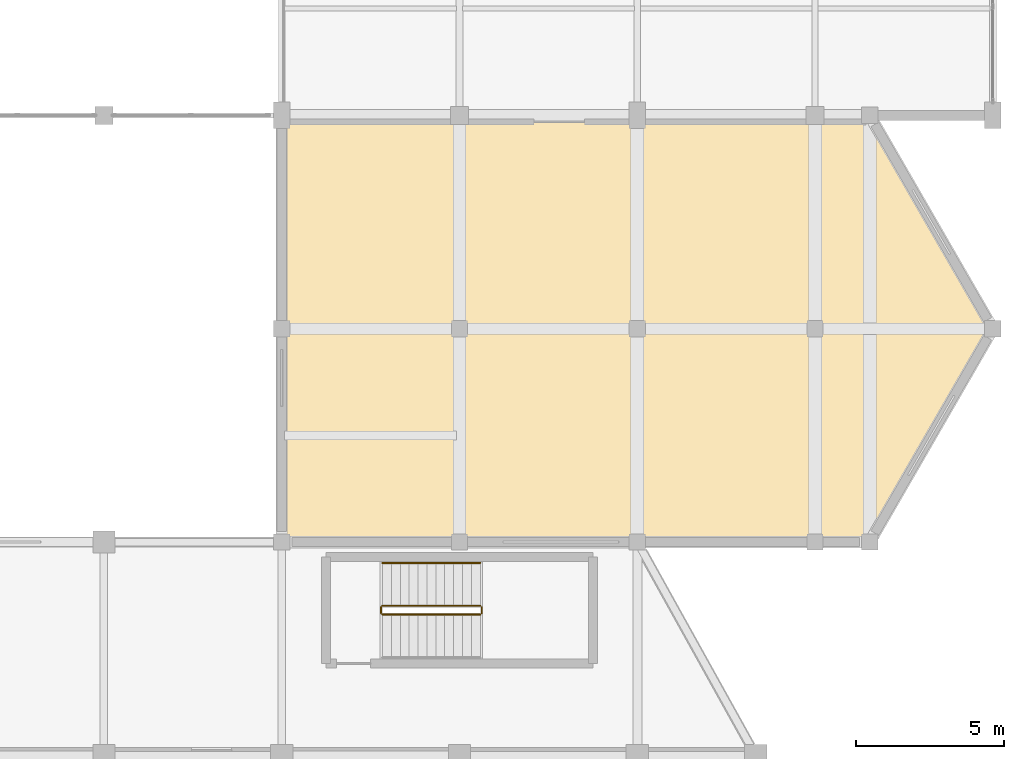
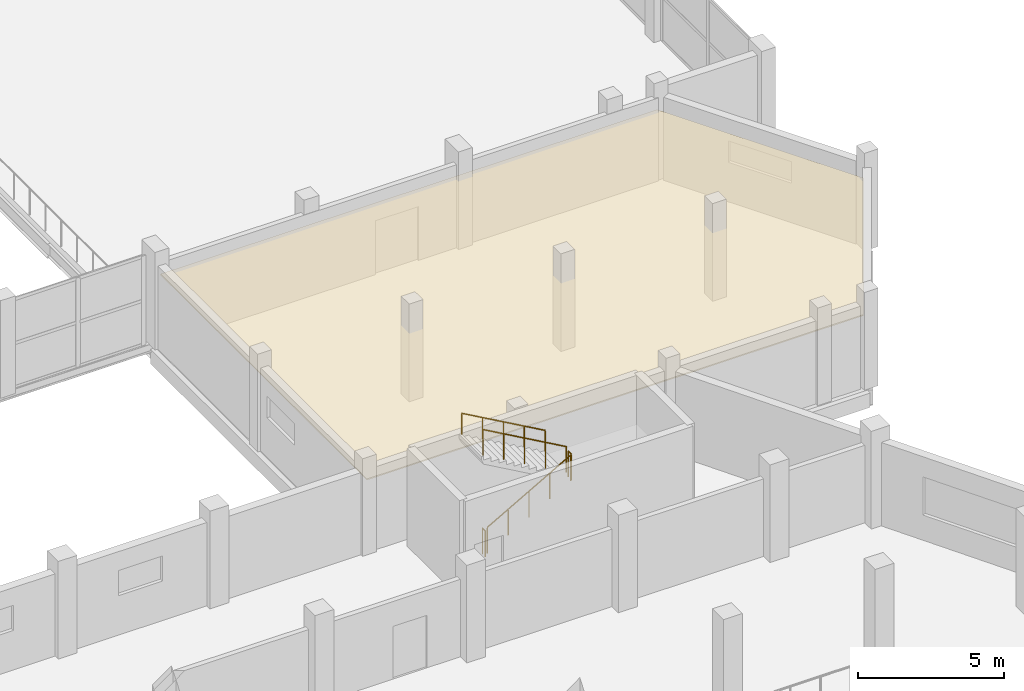
# One storey, part 126 of 127: 5 railings, 1 covering.
"""IFC4 building model written with IfcOpenShell, lengths in metres."""

from ifc_helpers import new_model, si_unit, direction, frame, origin, origin_2d, place, context, subcontext, project, spatial, polyline, circle, outline, extrude, material, layer, layer_set, type_object, element, save


model = new_model("IFC4")

# Units and contexts
model_context = context("Model", 3, precision=1e-05, world=origin(), true_north=direction((0.0, 1.0)))
body_context = subcontext(model_context, "Body", "Model", "MODEL_VIEW")
ifc_project = project(units=[si_unit("LENGTHUNIT", "METRE"), si_unit("AREAUNIT", "SQUARE_METRE"), si_unit("VOLUMEUNIT", "CUBIC_METRE"), si_unit("PLANEANGLEUNIT", "RADIAN"), si_unit("MASSUNIT", "GRAM", prefix="KILO")], contexts=[model_context])

# Site, building, storey
site_placement = place(None, origin())
site = spatial("IfcSite", under=ifc_project, at=site_placement, CompositionType="ELEMENT")
building_placement = place(site_placement, origin())
building = spatial("IfcBuilding", under=site, at=building_placement, Name="Dunvalen Ferry Terminal", CompositionType="ELEMENT")
storey_placement = place(building_placement, frame((0.0, 0.0, 5.760009765625)))
storey = spatial("IfcBuildingStorey", under=building, at=storey_placement, Name="L01", CompositionType="ELEMENT", Elevation=5.760009765625)

# Covering
ifc_material_1 = material(Name="Moisture-resistant mineral-fibre acoustic ceiling", Category="gypsum")
ifc_layer = layer(ifc_material_1, 0.050048828125, Name="Moisture-resistant mineral-fibre acoustic ceiling")
ifc_layer_set = layer_set([ifc_layer], Name="Moisture-resistant mineral-fibre acoustic ceiling")
covering_type = type_object("IfcCoveringType", Name="INT-COV-CLG02", PredefinedType="CEILING", material=ifc_layer_set)
covering_placement = place(storey_placement, frame((0.0, 0.0, 2.800048828125)))
element("IfcCovering", 1, at=covering_placement, inside=storey, type_object=covering_type, Name="L01 Border Force Interview and Customs Suite Acoustic Suspended Ceiling", PredefinedType="CEILING", context=body_context, shape_type="SweptSolid", body=[
    extrude(outline(polyline([(144.1298828125, 43.330078125), (163.76806640625, 43.330078125), (167.849853515625, 50.39990234375), (163.76806640625, 57.469970703125), (144.1298828125, 57.469970703125), (144.1298828125, 43.330078125)])), origin(), (0.0, 0.0, 1.0), 0.050048828125),
])

# Railings
ifc_material_2 = material(Name="Painted galvanised steel S275", Category="steel")
railing_type_1 = type_object("IfcRailingType", Name="INT-RL-STGRD", PredefinedType="GUARDRAIL", material=ifc_material_2)
railing_1_placement = place(storey_placement, frame((147.39990234375, 40.75, 0.169921875)))
element("IfcRailing", 2, at=railing_1_placement, inside=storey, type_object=railing_type_1, Name="L01 ST6 stair guard 1", PredefinedType="GUARDRAIL", context=body_context, shape_type="SweptSolid", body=[
    extrude(circle(Radius=0.02392578125, at=origin_2d()), frame((0.0, 0.0, 1.076171875), z_axis=(0.870012062771, 0.0, 0.493030435808), x_axis=(0.0, 1.0, 0.0)), (0.0, 0.0, 1.0), 3.793212890625),
    extrude(circle(Radius=0.02099609375, at=origin_2d()), origin(), (0.0, 0.0, 1.0), 1.052001953125),
    extrude(circle(Radius=0.02099609375, at=origin_2d()), frame((0.824951171875, 0.0, 0.467529296875)), (0.0, 0.0, 1.0), 1.052001953125),
    extrude(circle(Radius=0.02099609375, at=origin_2d()), frame((1.64990234375, 0.0, 0.93505859375)), (0.0, 0.0, 1.0), 1.052001953125),
    extrude(circle(Radius=0.02099609375, at=origin_2d()), frame((2.47509765625, 0.0, 1.402587890625)), (0.0, 0.0, 1.0), 1.052001953125),
    extrude(circle(Radius=0.02099609375, at=origin_2d()), frame((3.300048828125, 0.0, 1.8701171875)), (0.0, 0.0, 1.0), 1.052001953125),
])
railing_2_placement = place(storey_placement, frame((150.75, 40.800048828125, 2.0400390625)))
element("IfcRailing", 3, at=railing_2_placement, inside=storey, type_object=railing_type_1, Name="L01 ST6 stair guard 2", PredefinedType="GUARDRAIL", context=body_context, shape_type="SweptSolid", body=[
    extrude(circle(Radius=0.02392578125, at=origin_2d()), frame((0.0, 0.0, 1.076171875), z_axis=(0.0, 1.0, 0.0), x_axis=(-1.0, 0.0, 0.0)), (0.0, 0.0, 1.0), 0.199951171875),
    extrude(circle(Radius=0.02099609375, at=origin_2d()), origin(), (0.0, 0.0, 1.0), 1.052001953125),
    extrude(circle(Radius=0.02099609375, at=origin_2d()), frame((0.0, 0.199951171875, 0.0)), (0.0, 0.0, 1.0), 1.052001953125),
])
railing_3_placement = place(storey_placement, frame((150.699951171875, 41.050048828125, 2.2099609375)))
element("IfcRailing", 4, at=railing_3_placement, inside=storey, type_object=railing_type_1, Name="L01 ST6 stair guard 3", PredefinedType="GUARDRAIL", context=body_context, shape_type="SweptSolid", body=[
    extrude(circle(Radius=0.02392578125, at=origin_2d()), frame((0.0, 0.0, 1.076171875), z_axis=(-0.870012062771, 0.0, 0.493030435808), x_axis=(0.0, -1.0, 0.0)), (0.0, 0.0, 1.0), 3.793212890625),
    extrude(circle(Radius=0.02099609375, at=origin_2d()), origin(), (0.0, 0.0, 1.0), 1.052001953125),
    extrude(circle(Radius=0.02099609375, at=origin_2d()), frame((-0.824951171875, 0.0, 0.467529296875)), (0.0, 0.0, 1.0), 1.052001953125),
    extrude(circle(Radius=0.02099609375, at=origin_2d()), frame((-1.64990234375, 0.0, 0.93505859375)), (0.0, 0.0, 1.0), 1.052001953125),
    extrude(circle(Radius=0.02099609375, at=origin_2d()), frame((-2.47509765625, 0.0, 1.402587890625)), (0.0, 0.0, 1.0), 1.052001953125),
    extrude(circle(Radius=0.02099609375, at=origin_2d()), frame((-3.300048828125, 0.0, 1.8701171875)), (0.0, 0.0, 1.0), 1.052001953125),
])
railing_4_placement = place(storey_placement, frame((147.35009765625, 40.800048828125, 0.0)))
element("IfcRailing", 5, at=railing_4_placement, inside=storey, type_object=railing_type_1, Name="L01 ST6 stair guard 4", PredefinedType="GUARDRAIL", context=body_context, shape_type="SweptSolid", body=[
    extrude(circle(Radius=0.02392578125, at=origin_2d()), frame((0.0, 0.0, 1.076171875), z_axis=(0.0, 1.0, 0.0), x_axis=(-1.0, 0.0, 0.0)), (0.0, 0.0, 1.0), 0.199951171875),
    extrude(circle(Radius=0.02099609375, at=origin_2d()), origin(), (0.0, 0.0, 1.0), 1.052001953125),
    extrude(circle(Radius=0.02099609375, at=origin_2d()), frame((0.0, 0.199951171875, 0.0)), (0.0, 0.0, 1.0), 1.052001953125),
])
ifc_material_3 = material(Name="Brushed 316 stainless steel", Category="steel")
railing_type_2 = type_object("IfcRailingType", Name="INT-RL-STHND", PredefinedType="HANDRAIL", material=ifc_material_3)
railing_5_placement = place(storey_placement, frame((150.699951171875, 42.5, 2.2099609375)))
element("IfcRailing", 6, at=railing_5_placement, inside=storey, type_object=railing_type_2, Name="L01 ST6 stair handrail 2", PredefinedType="HANDRAIL", context=body_context, shape_type="SweptSolid", body=[
    extrude(circle(Radius=0.02392578125, at=origin_2d()), frame((0.0, 0.0, 0.8759765625), z_axis=(-0.870012062771, 0.0, 0.493030435808), x_axis=(0.0, -1.0, 0.0)), (0.0, 0.0, 1.0), 3.793212890625),
    extrude(circle(Radius=0.02099609375, at=origin_2d()), origin(), (0.0, 0.0, 1.0), 0.851806640625),
    extrude(circle(Radius=0.02099609375, at=origin_2d()), frame((-0.824951171875, 0.0, 0.467529296875)), (0.0, 0.0, 1.0), 0.851806640625),
    extrude(circle(Radius=0.02099609375, at=origin_2d()), frame((-1.64990234375, 0.0, 0.93505859375)), (0.0, 0.0, 1.0), 0.851806640625),
    extrude(circle(Radius=0.02099609375, at=origin_2d()), frame((-2.47509765625, 0.0, 1.402587890625)), (0.0, 0.0, 1.0), 0.851806640625),
    extrude(circle(Radius=0.02099609375, at=origin_2d()), frame((-3.300048828125, 0.0, 1.8701171875)), (0.0, 0.0, 1.0), 0.851806640625),
])

save(model, "model.ifc")
